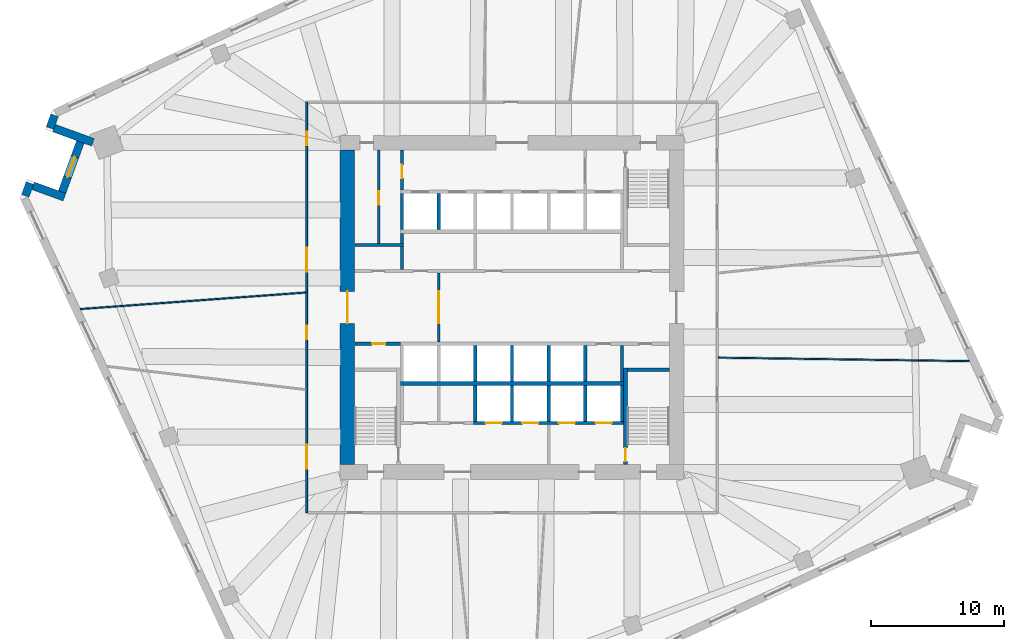
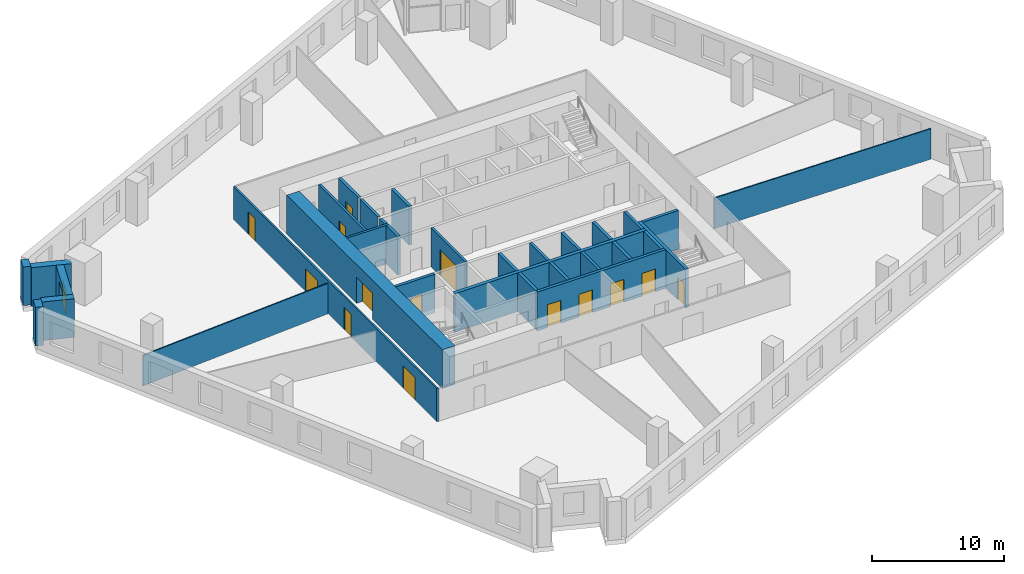
# One storey, part 7 of 12: 32 walls, 14 doors, 1 window, 15 openings.
"""IFC4 building model written with IfcOpenShell, lengths in metres."""

import ifcopenshell
import ifcopenshell.guid

model = None  # the IFC model being written
_history = None  # IfcOwnerHistory: only IFC2X3 demands one
_inside = {}  # id of a spatial element -> (the spatial element, [elements in it])
_under = {}  # id of a project, library or spatial element -> (it, [spatial elements below it])
_declared = {}  # id of a project -> (the project, [libraries it declares])
_typed = {}  # id of a type object -> (the type object, [elements of that type])
_made_of = {}  # id of a material, layer set ... -> (it, [elements and type objects made of it])


def new_model(schema):
    """Start an empty IFC model of exactly this schema.

    Asked for "IFC4X3", IfcOpenShell would pick the latest addendum, in which some entities
    have other attributes; the version numbers below select the first issue.
    IFC2X3 requires an IfcOwnerHistory on every rooted entity: one is made here for all.
    """
    global model, _history
    if schema == "IFC4X3":
        model = ifcopenshell.file(schema_version=(4, 3, 0, 0))
    else:
        model = ifcopenshell.file(schema=schema)
    _inside.clear()
    _under.clear()
    _declared.clear()
    _typed.clear()
    _made_of.clear()
    _history = None
    if model.schema == "IFC2X3":
        org = make("IfcOrganization", Name="unknown")
        user = make(
            "IfcPersonAndOrganization",
            ThePerson=make("IfcPerson", FamilyName="unknown"),
            TheOrganization=org,
        )
        app = make(
            "IfcApplication",
            ApplicationDeveloper=org,
            Version="unknown",
            ApplicationFullName="unknown",
            ApplicationIdentifier="unknown",
        )
        _history = make(
            "IfcOwnerHistory",
            OwningUser=user,
            OwningApplication=app,
            ChangeAction="ADDED",
            CreationDate=0,
        )
    return model


def make(cls, **values):
    """One entity of the class cls with the attributes given. An attribute that is None is left unset."""
    return model.create_entity(
        cls, **{name: value for name, value in values.items() if value is not None}
    )


def rooted(cls, **values):
    """An entity with a GlobalId (a new one), such as an element, a storey or a relation."""
    return make(cls, GlobalId=ifcopenshell.guid.new(), OwnerHistory=_history, **values)


def si_unit(unit_type, name, prefix=None):
    """IfcSIUnit, for example si_unit("LENGTHUNIT", "METRE", prefix="MILLI")."""
    return make("IfcSIUnit", UnitType=unit_type, Prefix=prefix, Name=name)


def assignment(units):
    """IfcUnitAssignment: the units of a project."""
    return None if units is None else make("IfcUnitAssignment", Units=units)


def point(xyz):
    """IfcCartesianPoint."""
    return None if xyz is None else make("IfcCartesianPoint", Coordinates=xyz)


def direction(xyz):
    """IfcDirection."""
    return None if xyz is None else make("IfcDirection", DirectionRatios=xyz)


def frame(location, z_axis=None, x_axis=None):
    """IfcAxis2Placement3D, a coordinate frame: its origin and axes. An axis left out is left unset."""
    return make(
        "IfcAxis2Placement3D",
        Location=point(location),
        Axis=direction(z_axis),
        RefDirection=direction(x_axis),
    )


def frame_2d(location, x_axis=None):
    """IfcAxis2Placement2D, a coordinate frame in the plane: its origin and x axis."""
    return make(
        "IfcAxis2Placement2D", Location=point(location), RefDirection=direction(x_axis)
    )


def origin():
    """The frame at (0, 0, 0) with its axes left unset."""
    return frame((0.0, 0.0, 0.0))


def place(relative_to, where):
    """IfcLocalPlacement: puts the frame where relative to a parent placement (None: the world)."""
    return make(
        "IfcLocalPlacement", PlacementRelTo=relative_to, RelativePlacement=where
    )


def context(
    kind, dimensions, precision=None, world=None, true_north=None, identifier=None
):
    """IfcGeometricRepresentationContext, for example the 3D "Model" context."""
    return make(
        "IfcGeometricRepresentationContext",
        ContextIdentifier=identifier,
        ContextType=kind,
        CoordinateSpaceDimension=dimensions,
        Precision=precision,
        WorldCoordinateSystem=world,
        TrueNorth=true_north,
    )


def subcontext(parent, identifier, kind, view, scale=None):
    """IfcGeometricRepresentationSubContext, for example "Body" below "Model"."""
    return make(
        "IfcGeometricRepresentationSubContext",
        ContextIdentifier=identifier,
        ContextType=kind,
        ParentContext=parent,
        TargetScale=scale,
        TargetView=view,
    )


def project(units=None, contexts=None):
    """IfcProject with its units and contexts."""
    return rooted(
        "IfcProject",
        Name="project",
        RepresentationContexts=contexts,
        UnitsInContext=assignment(units),
    )


def spatial(cls, under=None, at=None, **own):
    """A site, building, storey or space (cls), placed at a placement, below another one or the project."""
    s = rooted(cls, ObjectPlacement=at, **own)
    if under is not None:
        _under.setdefault(under.id(), (under, []))[1].append(s)
    return s


def profile(cls, at=None, kind="AREA", **sizes):
    """A parametric profile (cls). Its sizes go by their IFC names, for example OverallWidth=200.0."""
    return make(cls, ProfileType=kind, Position=at, **sizes)


def rectangle(**sizes):
    """IfcRectangleProfileDef."""
    return profile("IfcRectangleProfileDef", **sizes)


def extrude(swept, where, along, depth):
    """IfcExtrudedAreaSolid: the profile swept, set in the frame where, extruded along a direction by depth."""
    return make(
        "IfcExtrudedAreaSolid",
        SweptArea=swept,
        Position=where,
        ExtrudedDirection=direction(along),
        Depth=depth,
    )


def shape(context_of_items, identifier, shape_type, items):
    """IfcShapeRepresentation: the items that make up one representation, for example the "Body"."""
    return make(
        "IfcShapeRepresentation",
        ContextOfItems=context_of_items,
        RepresentationIdentifier=identifier,
        RepresentationType=shape_type,
        Items=items,
    )


def material(Name=None, Category=None):
    """IfcMaterial."""
    return make("IfcMaterial", Name=Name, Category=Category)


def layer(
    of_material, thickness, ventilated=None, Name=None, Category=None, Priority=None
):
    """IfcMaterialLayer: one layer of a wall or slab, of a material (None: an air gap)."""
    return make(
        "IfcMaterialLayer",
        Material=of_material,
        LayerThickness=thickness,
        IsVentilated=ventilated,
        Name=Name,
        Category=Category,
        Priority=Priority,
    )


def layer_set(layers, Name=None):
    """IfcMaterialLayerSet."""
    return make("IfcMaterialLayerSet", MaterialLayers=layers, LayerSetName=Name)


def made_of(thing, what):
    """Note that an element or type object is made of a material, layer set ...; save() writes the relation."""
    if what is not None:
        _made_of.setdefault(what.id(), (what, []))[1].append(thing)
    return thing


def type_object(cls, material=None, **own):
    """A type object (cls), such as IfcWallType, which elements share."""
    return made_of(rooted(cls, **own), material)


def element(
    cls,
    number,
    at=None,
    inside=None,
    cuts=None,
    type_object=None,
    material=None,
    context=None,
    identifier="Body",
    shape_type=None,
    held_by="IfcProductDefinitionShape",
    body=None,
    shapes=None,
    **own,
):
    """One element of the class cls, such as IfcWall. Its Tag is "e" and its number.

    at: its placement. inside: the storey or other place that contains it. cuts: it is an
    opening in that element (IfcRelVoidsElement). A single representation is given by context,
    identifier, shape_type and body (its items); several are given by shapes. held_by: the class
    of the entity that holds the representations. save() writes the other relations.
    """
    e = rooted(cls, Tag="e%d" % number, ObjectPlacement=at, **own)
    if body is not None:
        shapes = [shape(context, identifier, shape_type, body)]
    if shapes is not None:
        e.Representation = make(held_by, Representations=shapes)
    if inside is not None:
        _inside.setdefault(inside.id(), (inside, []))[1].append(e)
    if cuts is not None:
        rooted(
            "IfcRelVoidsElement", RelatingBuildingElement=cuts, RelatedOpeningElement=e
        )
    if type_object is not None:
        _typed.setdefault(type_object.id(), (type_object, []))[1].append(e)
    return made_of(e, material)


def fill(opening, filler):
    """IfcRelFillsElement: the door or window that sits in an opening."""
    return rooted(
        "IfcRelFillsElement",
        RelatingOpeningElement=opening,
        RelatedBuildingElement=filler,
    )


def aggregate(whole, parts):
    """IfcRelAggregates: a whole, such as a stair, and the parts it consists of."""
    return rooted("IfcRelAggregates", RelatingObject=whole, RelatedObjects=parts)


def save(model, path):
    """Write the relations noted so far, then the file.

    IfcRelAggregates (storeys below a building ...), IfcRelContainedInSpatialStructure (elements
    in a storey), IfcRelDefinesByType, IfcRelAssociatesMaterial and IfcRelDeclares: one each for
    every whole, place, type object, material and project.
    """
    for whole, parts in _under.values():
        aggregate(whole, parts)
    for where, things in _inside.values():
        rooted(
            "IfcRelContainedInSpatialStructure",
            RelatedElements=things,
            RelatingStructure=where,
        )
    for kind, things in _typed.values():
        rooted("IfcRelDefinesByType", RelatedObjects=things, RelatingType=kind)
    for what, things in _made_of.values():
        rooted("IfcRelAssociatesMaterial", RelatedObjects=things, RelatingMaterial=what)
    for by, libraries in _declared.values():
        rooted("IfcRelDeclares", RelatingContext=by, RelatedDefinitions=libraries)
    model.write(path)


model = new_model("IFC4")

# Units and contexts
model_context = context("Model", 3, precision=1e-05, world=origin(), true_north=direction((0.0, 1.0)))
body_context = subcontext(model_context, "Body", "Model", "MODEL_VIEW")
ifc_project = project(units=[si_unit("LENGTHUNIT", "METRE"), si_unit("AREAUNIT", "SQUARE_METRE"), si_unit("VOLUMEUNIT", "CUBIC_METRE"), si_unit("PLANEANGLEUNIT", "RADIAN"), si_unit("MASSUNIT", "GRAM", prefix="KILO")], contexts=[model_context])

# Site, building, storey
site_placement = place(None, origin())
site = spatial("IfcSite", under=ifc_project, at=site_placement, CompositionType="ELEMENT")
building_placement = place(site_placement, origin())
building = spatial("IfcBuilding", under=site, at=building_placement, Name="Dilmun Exchange Tower", CompositionType="ELEMENT")
storey_placement = place(building_placement, frame((0.0, 0.0, 126.10009765625)))
storey = spatial("IfcBuildingStorey", under=building, at=storey_placement, Name="L29", CompositionType="ELEMENT", Elevation=126.10009765625)

# Wall, opening, door
ifc_material_1 = material(Name="Concrete C40/50", Category="concrete")
ifc_layer_1 = layer(ifc_material_1, 0.199951171875)
ifc_layer_set_1 = layer_set([ifc_layer_1], Name="Concrete C40/50")
wall_type_1 = type_object("IfcWallType", Name="Core partition wall 200", PredefinedType="PARTITIONING", material=ifc_layer_set_1)
wall_1_placement = place(storey_placement, frame((-5.5, -2.594970703125, 0.0), z_axis=(0.0, 0.0, 1.0), x_axis=(0.0, 1.0, 0.0)))
wall_1 = element("IfcWall", 1, at=wall_1_placement, inside=storey, type_object=wall_type_1, Name="L29 core partition wall 08", PredefinedType="PARTITIONING", context=body_context, shape_type="SweptSolid", body=[
    extrude(rectangle(XDim=5.18994140625, YDim=0.199951171875, at=frame_2d((2.594970703125, 0.0))), origin(), (0.0, 0.0, 1.0), 3.579833984375),
])
opening_1_placement = place(wall_1_placement, frame((1.39501953125, 0.0, 0.0)))
opening_1 = element("IfcOpeningElement", 2, at=opening_1_placement, cuts=wall_1, Name="Opening CD1", PredefinedType="OPENING", context=body_context, shape_type="SweptSolid", body=[
    extrude(rectangle(XDim=2.39990234375, YDim=2.39990234375, at=frame_2d((1.199951171875, 1.199951171875))), frame((0.0, 0.10986328125, 0.0), z_axis=(0.0, -1.0, 0.0), x_axis=(1.0, 0.0, 0.0)), (0.0, 0.0, 1.0), 0.219970703125),
])
ifc_material_2 = material(Name="Fire-rated steel door set", Category="steel")
door_type_1 = type_object("IfcDoorType", Name="Core lobby door 2400x2400", OperationType="DOUBLE_DOOR_DOUBLE_SWING", PredefinedType="DOOR", material=ifc_material_2)
door_1_placement = place(opening_1_placement, origin())
door_1 = element("IfcDoor", 3, at=door_1_placement, inside=storey, type_object=door_type_1, Name="L29 door Lift lobby east", OperationType="DOUBLE_DOOR_DOUBLE_SWING", OverallHeight=2.39990234375, OverallWidth=2.39990234375, PredefinedType="DOOR", context=body_context, shape_type="SweptSolid", body=[
    extrude(rectangle(XDim=2.39990234375, YDim=2.39990234375, at=frame_2d((1.199951171875, 1.199951171875))), frame((0.0, 0.02490234375, 0.0), z_axis=(0.0, -1.0, 0.0), x_axis=(1.0, 0.0, 0.0)), (0.0, 0.0, 1.0), 0.050048828125),
])
fill(opening_1, door_1)

# Wall
wall_2_placement = place(storey_placement, frame((-11.794921875, 4.675048828125, 0.0), z_axis=(0.0, 0.0, 1.0), x_axis=(1.0, 0.0, 0.0)))
element("IfcWall", 4, at=wall_2_placement, inside=storey, type_object=wall_type_1, Name="L29 core partition wall 13", PredefinedType="PARTITIONING", context=body_context, shape_type="SweptSolid", body=[
    extrude(rectangle(XDim=3.64501953125, YDim=0.199951171875, at=frame_2d((1.822509765625, 0.0))), origin(), (0.0, 0.0, 1.0), 3.579833984375),
])

# Wall, opening, door
wall_3_placement = place(storey_placement, frame((-10.0, 4.780029296875, 0.0), z_axis=(0.0, 0.0, 1.0), x_axis=(0.0, 1.0, 0.0)))
wall_3 = element("IfcWall", 5, at=wall_3_placement, inside=storey, type_object=wall_type_1, Name="L29 core partition wall 14", PredefinedType="PARTITIONING", context=body_context, shape_type="SweptSolid", body=[
    extrude(rectangle(XDim=7.014892578125, YDim=0.199951171875, at=frame_2d((3.50732421875, 0.0))), origin(), (0.0, 0.0, 1.0), 3.579833984375),
])
opening_2_placement = place(wall_3_placement, frame((2.919921875, 0.0, 0.0)))
opening_2 = element("IfcOpeningElement", 6, at=opening_2_placement, cuts=wall_3, Name="Opening CD4", PredefinedType="OPENING", context=body_context, shape_type="SweptSolid", body=[
    extrude(rectangle(XDim=1.0, YDim=2.10009765625, at=frame_2d((0.5, 1.050048828125))), frame((0.0, 0.10986328125, 0.0), z_axis=(0.0, -1.0, 0.0), x_axis=(1.0, 0.0, 0.0)), (0.0, 0.0, 1.0), 0.219970703125),
])
door_type_2 = type_object("IfcDoorType", Name="Core room door 1000x2100", OperationType="SINGLE_SWING_LEFT", PredefinedType="DOOR", material=ifc_material_2)
door_2_placement = place(opening_2_placement, origin())
door_2 = element("IfcDoor", 7, at=door_2_placement, inside=storey, type_object=door_type_2, Name="L29 door Comms room", OperationType="SINGLE_SWING_RIGHT", OverallHeight=2.10009765625, OverallWidth=1.0, PredefinedType="DOOR", context=body_context, shape_type="SweptSolid", body=[
    extrude(rectangle(XDim=1.0, YDim=2.10009765625, at=frame_2d((0.5, 1.050048828125))), frame((0.0, 0.02490234375, 0.0), z_axis=(0.0, -1.0, 0.0), x_axis=(1.0, 0.0, 0.0)), (0.0, 0.0, 1.0), 0.050048828125),
])
fill(opening_2, door_2)

# Wall
ifc_layer_2 = layer(ifc_material_1, 0.25)
ifc_layer_set_2 = layer_set([ifc_layer_2], Name="Concrete C40/50")
wall_type_2 = type_object("IfcWallType", Name="Core partition wall 250", PredefinedType="PARTITIONING", material=ifc_layer_set_2)
wall_4_placement = place(storey_placement, frame((8.25, -5.544921875, 0.0), z_axis=(0.0, 0.0, 1.0), x_axis=(0.0, 1.0, 0.0)))
element("IfcWall", 8, at=wall_4_placement, inside=storey, type_object=wall_type_2, Name="L29 core partition wall 05", PredefinedType="PARTITIONING", context=body_context, shape_type="SweptSolid", body=[
    extrude(rectangle(XDim=2.68994140625, YDim=0.25, at=frame_2d((1.344970703125, 0.0))), origin(), (0.0, 0.0, 1.0), 3.579833984375),
])

# Wall, opening, door
wall_5_placement = place(storey_placement, frame((-11.794921875, -2.72509765625, 0.0), z_axis=(0.0, 0.0, 1.0), x_axis=(1.0, 0.0, 0.0)))
wall_5 = element("IfcWall", 9, at=wall_5_placement, inside=storey, type_object=wall_type_2, Name="L29 core partition wall 06", PredefinedType="PARTITIONING", context=body_context, shape_type="SweptSolid", body=[
    extrude(rectangle(XDim=3.4150390625, YDim=0.25, at=frame_2d((1.70751953125, 0.0))), origin(), (0.0, 0.0, 1.0), 3.579833984375),
])
opening_3_placement = place(wall_5_placement, frame((1.294921875, 0.0, 0.0)))
opening_3 = element("IfcOpeningElement", 10, at=opening_3_placement, cuts=wall_5, Name="Opening CD4", PredefinedType="OPENING", context=body_context, shape_type="SweptSolid", body=[
    extrude(rectangle(XDim=1.0, YDim=2.10009765625, at=frame_2d((0.5, 1.050048828125))), frame((0.0, 0.135009765625, 0.0), z_axis=(0.0, -1.0, 0.0), x_axis=(1.0, 0.0, 0.0)), (0.0, 0.0, 1.0), 0.27001953125),
])
door_3_placement = place(opening_3_placement, origin())
door_3 = element("IfcDoor", 11, at=door_3_placement, inside=storey, type_object=door_type_2, Name="L29 door Accessible WC", OperationType="SINGLE_SWING_RIGHT", OverallHeight=2.10009765625, OverallWidth=1.0, PredefinedType="DOOR", context=body_context, shape_type="SweptSolid", body=[
    extrude(rectangle(XDim=1.0, YDim=2.10009765625, at=frame_2d((0.5, 1.050048828125))), frame((0.0, 0.02490234375, 0.0), z_axis=(0.0, -1.0, 0.0), x_axis=(1.0, 0.0, 0.0)), (0.0, 0.0, 1.0), 0.050048828125),
])
fill(opening_3, door_3)

# Walls
wall_6_placement = place(storey_placement, frame((-8.25, 2.85498046875, 0.0), z_axis=(0.0, 0.0, 1.0), x_axis=(0.0, 1.0, 0.0)))
element("IfcWall", 12, at=wall_6_placement, inside=storey, type_object=wall_type_2, Name="L29 core partition wall 10", PredefinedType="PARTITIONING", context=body_context, shape_type="SweptSolid", body=[
    extrude(rectangle(XDim=1.715087890625, YDim=0.25, at=frame_2d((0.857421875, 0.0))), origin(), (0.0, 0.0, 1.0), 3.579833984375),
])
wall_7_placement = place(storey_placement, frame((-8.25, 4.780029296875, 0.0), z_axis=(0.0, 0.0, 1.0), x_axis=(0.0, 1.0, 0.0)))
element("IfcWall", 13, at=wall_7_placement, inside=storey, type_object=wall_type_2, Name="L29 core partition wall 15", PredefinedType="PARTITIONING", context=body_context, shape_type="SweptSolid", body=[
    extrude(rectangle(XDim=0.764892578125, YDim=0.25, at=frame_2d((0.38232421875, 0.0))), origin(), (0.0, 0.0, 1.0), 3.579833984375),
])

# Wall, opening, door
wall_8_placement = place(storey_placement, frame((-8.25, 8.804931640625, 0.0), z_axis=(0.0, 0.0, 1.0), x_axis=(0.0, 1.0, 0.0)))
wall_8 = element("IfcWall", 14, at=wall_8_placement, inside=storey, type_object=wall_type_2, Name="L29 core partition wall 16", PredefinedType="PARTITIONING", context=body_context, shape_type="SweptSolid", body=[
    extrude(rectangle(XDim=2.989990234375, YDim=0.25, at=frame_2d((1.4951171875, 0.0))), origin(), (0.0, 0.0, 1.0), 3.579833984375),
])
opening_4_placement = place(wall_8_placement, frame((0.89501953125, 0.0, 0.0)))
opening_4 = element("IfcOpeningElement", 15, at=opening_4_placement, cuts=wall_8, Name="Opening CD4", PredefinedType="OPENING", context=body_context, shape_type="SweptSolid", body=[
    extrude(rectangle(XDim=1.0, YDim=2.10009765625, at=frame_2d((0.5, 1.050048828125))), frame((0.0, 0.135009765625, 0.0), z_axis=(0.0, -1.0, 0.0), x_axis=(1.0, 0.0, 0.0)), (0.0, 0.0, 1.0), 0.27001953125),
])
door_4_placement = place(opening_4_placement, origin())
door_4 = element("IfcDoor", 16, at=door_4_placement, inside=storey, type_object=door_type_2, Name="L29 door Security room", OperationType="SINGLE_SWING_RIGHT", OverallHeight=2.10009765625, OverallWidth=1.0, PredefinedType="DOOR", context=body_context, shape_type="SweptSolid", body=[
    extrude(rectangle(XDim=1.0, YDim=2.10009765625, at=frame_2d((0.5, 1.050048828125))), frame((0.0, 0.02490234375, 0.0), z_axis=(0.0, -1.0, 0.0), x_axis=(1.0, 0.0, 0.0)), (0.0, 0.0, 1.0), 0.050048828125),
])
fill(opening_4, door_4)

ifc_material_3 = material(Name="Concrete C80/95", Category="concrete")
ifc_layer_3 = layer(ifc_material_3, 1.10009765625)
ifc_layer_set_3 = layer_set([ifc_layer_3], Name="Concrete C80/95")
wall_type_3 = type_object("IfcWallType", Name="Core shear wall 1100 Concrete C80/95", PredefinedType="SHEAR", material=ifc_layer_set_3)
wall_9_placement = place(storey_placement, frame((-12.35009765625, -11.800048828125, 0.0), z_axis=(0.0, 0.0, 1.0), x_axis=(0.0, 1.0, 0.0)))
wall_9 = element("IfcWall", 17, at=wall_9_placement, inside=storey, type_object=wall_type_3, Name="L29 core shear wall W", PredefinedType="SHEAR", context=body_context, shape_type="SweptSolid", body=[
    extrude(rectangle(XDim=23.60009765625, YDim=1.10009765625, at=frame_2d((11.800048828125, 0.0))), origin(), (0.0, 0.0, 1.0), 3.579833984375),
])
opening_5_placement = place(wall_9_placement, frame((10.60009765625, 0.0, 0.0)))
opening_5 = element("IfcOpeningElement", 18, at=opening_5_placement, cuts=wall_9, Name="Opening CD1", PredefinedType="OPENING", context=body_context, shape_type="SweptSolid", body=[
    extrude(rectangle(XDim=2.39990234375, YDim=2.39990234375, at=frame_2d((1.199951171875, 1.199951171875))), frame((0.0, 0.56005859375, 0.0), z_axis=(0.0, -1.0, 0.0), x_axis=(1.0, 0.0, 0.0)), (0.0, 0.0, 1.0), 1.1201171875),
])
door_5_placement = place(opening_5_placement, origin())
door_5 = element("IfcDoor", 19, at=door_5_placement, inside=storey, type_object=door_type_1, Name="L29 door Central lift lobby", OperationType="SINGLE_SWING_LEFT", OverallHeight=2.39990234375, OverallWidth=2.39990234375, PredefinedType="DOOR", context=body_context, shape_type="SweptSolid", body=[
    extrude(rectangle(XDim=2.39990234375, YDim=2.39990234375, at=frame_2d((1.199951171875, 1.199951171875))), frame((0.0, 0.02490234375, 0.0), z_axis=(0.0, -1.0, 0.0), x_axis=(1.0, 0.0, 0.0)), (0.0, 0.0, 1.0), 0.050048828125),
])
fill(opening_5, door_5)

# Wall, openings, doors
ifc_material_4 = material(Name="Corridor wall 150")
ifc_layer_4 = layer(ifc_material_4, 0.14990234375)
ifc_layer_set_4 = layer_set([ifc_layer_4], Name="Corridor wall 150")
wall_type_4 = type_object("IfcWallType", Name="Corridor wall 150", PredefinedType="PARTITIONING", material=ifc_layer_set_4)
wall_10_placement = place(storey_placement, frame((-15.39990234375, -15.39990234375, 0.0), z_axis=(0.0, 0.0, 1.0), x_axis=(0.0, 1.0, 0.0)))
wall_10 = element("IfcWall", 20, at=wall_10_placement, inside=storey, type_object=wall_type_4, Name="Corridor wall", PredefinedType="PARTITIONING", context=body_context, shape_type="SweptSolid", body=[
    extrude(rectangle(XDim=30.7998046875, YDim=0.14990234375, at=frame_2d((15.39990234375, 0.0))), origin(), (0.0, 0.0, 1.0), 3.079833984375),
])
opening_6_placement = place(wall_10_placement, frame((13.023681640625, 0.0, 0.0)))
opening_6 = element("IfcOpeningElement", 21, at=opening_6_placement, cuts=wall_10, Name="Opening TF28-D01", PredefinedType="OPENING", context=body_context, shape_type="SweptSolid", body=[
    extrude(rectangle(XDim=1.0, YDim=2.10009765625, at=frame_2d((0.5, 1.050048828125))), frame((0.0, 0.0849609375, 0.0), z_axis=(0.0, -1.0, 0.0), x_axis=(1.0, 0.0, 0.0)), (0.0, 0.0, 1.0), 0.169921875),
])
opening_7_placement = place(wall_10_placement, frame((18.06884765625, 0.0, 0.0)))
opening_7 = element("IfcOpeningElement", 22, at=opening_7_placement, cuts=wall_10, Name="Opening TF28-D02", PredefinedType="OPENING", context=body_context, shape_type="SweptSolid", body=[
    extrude(rectangle(XDim=1.800048828125, YDim=2.10009765625, at=frame_2d((0.89990234375, 1.050048828125))), frame((0.0, 0.0849609375, 0.0), z_axis=(0.0, -1.0, 0.0), x_axis=(1.0, 0.0, 0.0)), (0.0, 0.0, 1.0), 0.169921875),
])
opening_8_placement = place(wall_10_placement, frame((27.56884765625, 0.0, 0.0)))
opening_8 = element("IfcOpeningElement", 23, at=opening_8_placement, cuts=wall_10, Name="Opening TF28-D03", PredefinedType="OPENING", context=body_context, shape_type="SweptSolid", body=[
    extrude(rectangle(XDim=1.0, YDim=2.10009765625, at=frame_2d((0.5, 1.050048828125))), frame((0.0, 0.0849609375, 0.0), z_axis=(0.0, -1.0, 0.0), x_axis=(1.0, 0.0, 0.0)), (0.0, 0.0, 1.0), 0.169921875),
])
opening_9_placement = place(wall_10_placement, frame((3.300048828125, 0.0, 0.0)))
opening_9 = element("IfcOpeningElement", 24, at=opening_9_placement, cuts=wall_10, Name="Opening TF28-D04", PredefinedType="OPENING", context=body_context, shape_type="SweptSolid", body=[
    extrude(rectangle(XDim=1.800048828125, YDim=2.10009765625, at=frame_2d((0.89990234375, 1.050048828125))), frame((0.0, 0.0849609375, 0.0), z_axis=(0.0, -1.0, 0.0), x_axis=(1.0, 0.0, 0.0)), (0.0, 0.0, 1.0), 0.169921875),
])
ifc_material_5 = material(Name="Fire door 1000 x 2100")
door_type_3 = type_object("IfcDoorType", Name="Fire door 1000 x 2100", OperationType="NOTDEFINED", PredefinedType="DOOR", material=ifc_material_5)
door_6_placement = place(opening_6_placement, origin())
door_6 = element("IfcDoor", 25, at=door_6_placement, inside=storey, type_object=door_type_3, Name="Door TF28-D01", OperationType="SINGLE_SWING_RIGHT", OverallHeight=2.10009765625, OverallWidth=1.0, PredefinedType="DOOR", context=body_context, shape_type="SweptSolid", body=[
    extrude(rectangle(XDim=1.0, YDim=2.10009765625, at=frame_2d((0.5, 1.050048828125))), frame((0.0, 0.02490234375, 0.0), z_axis=(0.0, -1.0, 0.0), x_axis=(1.0, 0.0, 0.0)), (0.0, 0.0, 1.0), 0.050048828125),
])
fill(opening_6, door_6)
door_7_placement = place(opening_8_placement, origin())
door_7 = element("IfcDoor", 26, at=door_7_placement, inside=storey, type_object=door_type_3, Name="Door TF28-D03", OperationType="SINGLE_SWING_LEFT", OverallHeight=2.10009765625, OverallWidth=1.0, PredefinedType="DOOR", context=body_context, shape_type="SweptSolid", body=[
    extrude(rectangle(XDim=1.0, YDim=2.10009765625, at=frame_2d((0.5, 1.050048828125))), frame((0.0, 0.02490234375, 0.0), z_axis=(0.0, -1.0, 0.0), x_axis=(1.0, 0.0, 0.0)), (0.0, 0.0, 1.0), 0.050048828125),
])
fill(opening_8, door_7)
ifc_material_6 = material(Name="Fire door pair 1800 x 2100")
door_type_4 = type_object("IfcDoorType", Name="Fire door pair 1800 x 2100", OperationType="NOTDEFINED", PredefinedType="DOOR", material=ifc_material_6)
door_8_placement = place(opening_7_placement, origin())
door_8 = element("IfcDoor", 27, at=door_8_placement, inside=storey, type_object=door_type_4, Name="Door TF28-D02", OperationType="DOUBLE_DOOR_SINGLE_SWING", OverallHeight=2.10009765625, OverallWidth=1.800048828125, PredefinedType="DOOR", context=body_context, shape_type="SweptSolid", body=[
    extrude(rectangle(XDim=1.800048828125, YDim=2.10009765625, at=frame_2d((0.89990234375, 1.050048828125))), frame((0.0, 0.02490234375, 0.0), z_axis=(0.0, -1.0, 0.0), x_axis=(1.0, 0.0, 0.0)), (0.0, 0.0, 1.0), 0.050048828125),
])
fill(opening_7, door_8)
door_9_placement = place(opening_9_placement, origin())
door_9 = element("IfcDoor", 28, at=door_9_placement, inside=storey, type_object=door_type_4, Name="Door TF28-D04", OperationType="DOUBLE_DOOR_SINGLE_SWING", OverallHeight=2.10009765625, OverallWidth=1.800048828125, PredefinedType="DOOR", context=body_context, shape_type="SweptSolid", body=[
    extrude(rectangle(XDim=1.800048828125, YDim=2.10009765625, at=frame_2d((0.89990234375, 1.050048828125))), frame((0.0, 0.02490234375, 0.0), z_axis=(0.0, -1.0, 0.0), x_axis=(1.0, 0.0, 0.0)), (0.0, 0.0, 1.0), 0.050048828125),
])
fill(opening_9, door_9)

# Walls
ifc_layer_5 = layer(ifc_material_1, 0.300048828125)
ifc_layer_set_5 = layer_set([ifc_layer_5], Name="Concrete C40/50")
wall_type_5 = type_object("IfcWallType", Name="Lift shaft shared wall 300", PredefinedType="SOLIDWALL", material=ifc_layer_set_5)
wall_11_placement = place(storey_placement, frame((-8.375, -5.699951171875, 0.0), z_axis=(0.0, 0.0, 1.0), x_axis=(1.0, 0.0, 0.0)))
element("IfcWall", 29, at=wall_11_placement, inside=storey, type_object=wall_type_5, Name="L29 lift shaft rear wall S", PredefinedType="SOLIDWALL", context=body_context, shape_type="SweptSolid", body=[
    extrude(rectangle(XDim=16.75, YDim=0.300048828125, at=frame_2d((8.375, 0.0))), origin(), (0.0, 0.0, 1.0), 3.579833984375),
])
ifc_layer_6 = layer(ifc_material_1, 0.25)
ifc_layer_set_6 = layer_set([ifc_layer_6], Name="Concrete C40/50")
wall_type_6 = type_object("IfcWallType", Name="Lift shaft wall 250", PredefinedType="SOLIDWALL", material=ifc_layer_set_6)
for number, where, z_axis, x_axis, name in (
    (30, (-8.25, 5.85009765625, 0.0), (0.0, 0.0, 1.0), (0.0, 1.0, 0.0), "L29 lift shaft divider N20"),
    (31, (-5.5, 5.85009765625, 0.0), (0.0, 0.0, 1.0), (0.0, 1.0, 0.0), "L29 lift shaft divider N21"),
    (32, (-2.75, -5.550048828125, 0.0), (0.0, 0.0, 1.0), (0.0, 1.0, 0.0), "L29 lift shaft divider S12"),
    (33, (0.0, -5.550048828125, 0.0), (0.0, 0.0, 1.0), (0.0, 1.0, 0.0), "L29 lift shaft divider S13"),
    (34, (2.75, -5.550048828125, 0.0), (0.0, 0.0, 1.0), (0.0, 1.0, 0.0), "L29 lift shaft divider S14"),
    (35, (5.5, -5.550048828125, 0.0), (0.0, 0.0, 1.0), (0.0, 1.0, 0.0), "L29 lift shaft divider S15"),
):
    element("IfcWall", number, at=place(storey_placement, frame(where, z_axis=z_axis, x_axis=x_axis)), inside=storey, type_object=wall_type_6, Name=name, PredefinedType="SOLIDWALL", context=body_context, shape_type="SweptSolid", body=[
        extrude(rectangle(XDim=2.699951171875, YDim=0.25, at=frame_2d((1.35009765625, 0.0))), origin(), (0.0, 0.0, 1.0), 3.579833984375),
    ])

# Wall, openings, doors
wall_12_placement = place(storey_placement, frame((-2.875, -8.675048828125, 0.0), z_axis=(0.0, 0.0, 1.0), x_axis=(1.0, 0.0, 0.0)))
wall_12 = element("IfcWall", 36, at=wall_12_placement, inside=storey, type_object=wall_type_6, Name="L29 lift shaft front wall S2", PredefinedType="SOLIDWALL", context=body_context, shape_type="SweptSolid", body=[
    extrude(rectangle(XDim=11.25, YDim=0.25, at=frame_2d((5.625, 0.0))), origin(), (0.0, 0.0, 1.0), 3.579833984375),
])
opening_10_placement = place(wall_12_placement, frame((0.89990234375, 0.0, 0.0)))
opening_10 = element("IfcOpeningElement", 37, at=opening_10_placement, cuts=wall_12, Name="Opening LD", PredefinedType="OPENING", context=body_context, shape_type="SweptSolid", body=[
    extrude(rectangle(XDim=1.199951171875, YDim=2.10009765625, at=frame_2d((0.60009765625, 1.050048828125))), frame((0.0, 0.135009765625, 0.0), z_axis=(0.0, -1.0, 0.0), x_axis=(1.0, 0.0, 0.0)), (0.0, 0.0, 1.0), 0.27001953125),
])
opening_11_placement = place(wall_12_placement, frame((3.64990234375, 0.0, 0.0)))
opening_11 = element("IfcOpeningElement", 38, at=opening_11_placement, cuts=wall_12, Name="Opening LD", PredefinedType="OPENING", context=body_context, shape_type="SweptSolid", body=[
    extrude(rectangle(XDim=1.199951171875, YDim=2.10009765625, at=frame_2d((0.60009765625, 1.050048828125))), frame((0.0, 0.135009765625, 0.0), z_axis=(0.0, -1.0, 0.0), x_axis=(1.0, 0.0, 0.0)), (0.0, 0.0, 1.0), 0.27001953125),
])
opening_12_placement = place(wall_12_placement, frame((6.39990234375, 0.0, 0.0)))
opening_12 = element("IfcOpeningElement", 39, at=opening_12_placement, cuts=wall_12, Name="Opening LD", PredefinedType="OPENING", context=body_context, shape_type="SweptSolid", body=[
    extrude(rectangle(XDim=1.199951171875, YDim=2.10009765625, at=frame_2d((0.60009765625, 1.050048828125))), frame((0.0, 0.135009765625, 0.0), z_axis=(0.0, -1.0, 0.0), x_axis=(1.0, 0.0, 0.0)), (0.0, 0.0, 1.0), 0.27001953125),
])
opening_13_placement = place(wall_12_placement, frame((9.14990234375, 0.0, 0.0)))
opening_13 = element("IfcOpeningElement", 40, at=opening_13_placement, cuts=wall_12, Name="Opening LD", PredefinedType="OPENING", context=body_context, shape_type="SweptSolid", body=[
    extrude(rectangle(XDim=1.199951171875, YDim=2.10009765625, at=frame_2d((0.60009765625, 1.050048828125))), frame((0.0, 0.135009765625, 0.0), z_axis=(0.0, -1.0, 0.0), x_axis=(1.0, 0.0, 0.0)), (0.0, 0.0, 1.0), 0.27001953125),
])
door_type_5 = type_object("IfcDoorType", Name="Lift landing door 1200x2100", OperationType="DOUBLE_DOOR_SLIDING", PredefinedType="DOOR", material=ifc_material_2)
door_10_placement = place(opening_10_placement, origin())
door_10 = element("IfcDoor", 41, at=door_10_placement, inside=storey, type_object=door_type_5, Name="L29 landing door SV1", OperationType="DOUBLE_DOOR_SLIDING", OverallHeight=2.10009765625, OverallWidth=1.199951171875, PredefinedType="DOOR", context=body_context, shape_type="SweptSolid", body=[
    extrude(rectangle(XDim=1.199951171875, YDim=2.10009765625, at=frame_2d((0.60009765625, 1.050048828125))), frame((0.0, 0.02490234375, 0.0), z_axis=(0.0, -1.0, 0.0), x_axis=(1.0, 0.0, 0.0)), (0.0, 0.0, 1.0), 0.050048828125),
])
fill(opening_10, door_10)
door_11_placement = place(opening_11_placement, origin())
door_11 = element("IfcDoor", 42, at=door_11_placement, inside=storey, type_object=door_type_5, Name="L29 landing door SV2", OperationType="DOUBLE_DOOR_SLIDING", OverallHeight=2.10009765625, OverallWidth=1.199951171875, PredefinedType="DOOR", context=body_context, shape_type="SweptSolid", body=[
    extrude(rectangle(XDim=1.199951171875, YDim=2.10009765625, at=frame_2d((0.60009765625, 1.050048828125))), frame((0.0, 0.02490234375, 0.0), z_axis=(0.0, -1.0, 0.0), x_axis=(1.0, 0.0, 0.0)), (0.0, 0.0, 1.0), 0.050048828125),
])
fill(opening_11, door_11)
door_12_placement = place(opening_12_placement, origin())
door_12 = element("IfcDoor", 43, at=door_12_placement, inside=storey, type_object=door_type_5, Name="L29 landing door FF1", OperationType="DOUBLE_DOOR_SLIDING", OverallHeight=2.10009765625, OverallWidth=1.199951171875, PredefinedType="DOOR", context=body_context, shape_type="SweptSolid", body=[
    extrude(rectangle(XDim=1.199951171875, YDim=2.10009765625, at=frame_2d((0.60009765625, 1.050048828125))), frame((0.0, 0.02490234375, 0.0), z_axis=(0.0, -1.0, 0.0), x_axis=(1.0, 0.0, 0.0)), (0.0, 0.0, 1.0), 0.050048828125),
])
fill(opening_12, door_12)
door_13_placement = place(opening_13_placement, origin())
door_13 = element("IfcDoor", 44, at=door_13_placement, inside=storey, type_object=door_type_5, Name="L29 landing door FF2", OperationType="DOUBLE_DOOR_SLIDING", OverallHeight=2.10009765625, OverallWidth=1.199951171875, PredefinedType="DOOR", context=body_context, shape_type="SweptSolid", body=[
    extrude(rectangle(XDim=1.199951171875, YDim=2.10009765625, at=frame_2d((0.60009765625, 1.050048828125))), frame((0.0, 0.02490234375, 0.0), z_axis=(0.0, -1.0, 0.0), x_axis=(1.0, 0.0, 0.0)), (0.0, 0.0, 1.0), 0.050048828125),
])
fill(opening_13, door_13)

# Walls
for number, where, z_axis, x_axis, name in (
    (45, (-2.75, -8.550048828125, 0.0), (0.0, 0.0, 1.0), (0.0, 1.0, 0.0), "L29 lift shaft divider S22"),
    (46, (0.0, -8.550048828125, 0.0), (0.0, 0.0, 1.0), (0.0, 1.0, 0.0), "L29 lift shaft divider S23"),
    (47, (2.75, -8.550048828125, 0.0), (0.0, 0.0, 1.0), (0.0, 1.0, 0.0), "L29 lift shaft divider S24"),
    (48, (5.5, -8.550048828125, 0.0), (0.0, 0.0, 1.0), (0.0, 1.0, 0.0), "L29 lift shaft divider S25"),
    (49, (8.25, -8.550048828125, 0.0), (0.0, 0.0, 1.0), (0.0, 1.0, 0.0), "L29 lift shaft divider S26"),
):
    element("IfcWall", number, at=place(storey_placement, frame(where, z_axis=z_axis, x_axis=x_axis)), inside=storey, type_object=wall_type_6, Name=name, PredefinedType="SOLIDWALL", context=body_context, shape_type="SweptSolid", body=[
        extrude(rectangle(XDim=2.699951171875, YDim=0.25, at=frame_2d((1.35009765625, 0.0))), origin(), (0.0, 0.0, 1.0), 3.579833984375),
    ])
ifc_material_7 = material(Name="Partition 100")
ifc_layer_7 = layer(ifc_material_7, 0.10009765625)
ifc_layer_set_7 = layer_set([ifc_layer_7], Name="Partition 100")
wall_type_7 = type_object("IfcWallType", Name="Partition 100", PredefinedType="PARTITIONING", material=ifc_layer_set_7)
wall_13_placement = place(storey_placement, frame((-32.37890625, -0.124755859375, 0.0), z_axis=(0.0, 0.0, 1.0), x_axis=(0.997314918509, 0.073232187723, 0.0)))
element("IfcWall", 50, at=wall_13_placement, inside=storey, type_object=wall_type_7, Name="Partition", PredefinedType="PARTITIONING", context=body_context, shape_type="SweptSolid", body=[
    extrude(rectangle(XDim=16.945556640625, YDim=0.10009765625, at=frame_2d((8.47265625, 0.0))), origin(), (0.0, 0.0, 1.0), 2.829833984375),
])
wall_14_placement = place(storey_placement, frame((15.4755859375, -3.76904296875, 0.0), z_axis=(0.0, 0.0, 1.0), x_axis=(0.999901379767, -0.014043886234, 0.0)))
element("IfcWall", 51, at=wall_14_placement, inside=storey, type_object=wall_type_7, Name="Partition", PredefinedType="PARTITIONING", context=body_context, shape_type="SweptSolid", body=[
    extrude(rectangle(XDim=18.844482421875, YDim=0.10009765625, at=frame_2d((9.42236328125, 0.0))), origin(), (0.0, 0.0, 1.0), 2.829833984375),
])
ifc_material_8 = material(Name="Precast concrete C50/60", Category="concrete")
ifc_layer_8 = layer(ifc_material_8, 0.60009765625)
ifc_layer_set_8 = layer_set([ifc_layer_8], Name="Precast concrete C50/60")
wall_type_8 = type_object("IfcWallType", Name="Precast stone-clad wall 600", PredefinedType="STANDARD", material=ifc_layer_set_8)
wall_15_placement = place(storey_placement, frame((-34.320068359375, 14.40380859375, 0.0), z_axis=(0.0, 0.0, 1.0), x_axis=(-0.342111355193, -0.939659417368, 0.0)))
element("IfcWall", 52, at=wall_15_placement, inside=storey, type_object=wall_type_8, Name="Facade wall L29-04", PredefinedType="STANDARD", context=body_context, shape_type="SweptSolid", body=[
    extrude(rectangle(XDim=1.01123046875, YDim=0.60009765625, at=frame_2d((0.505615234375, 0.0))), origin(), (0.0, 0.0, 1.0), 3.579833984375),
])
wall_16_placement = place(storey_placement, frame((-34.349853515625, 13.44482421875, 0.0), z_axis=(0.0, 0.0, 1.0), x_axis=(0.939708408288, -0.341976764406, 0.0)))
element("IfcWall", 53, at=wall_16_placement, inside=storey, type_object=wall_type_8, Name="Facade wall L29-05", PredefinedType="STANDARD", context=body_context, shape_type="SweptSolid", body=[
    extrude(rectangle(XDim=3.103271484375, YDim=0.60009765625, at=frame_2d((1.5517578125, 0.0))), origin(), (0.0, 0.0, 1.0), 3.579833984375),
])

# Wall, opening, window
wall_17_placement = place(storey_placement, frame((-32.385009765625, 12.41064453125, 0.0), z_axis=(0.0, 0.0, 1.0), x_axis=(-0.342037080957, -0.939686455819, 0.0)))
wall_17 = element("IfcWall", 54, at=wall_17_placement, inside=storey, type_object=wall_type_8, Name="Facade wall L29-06", PredefinedType="STANDARD", context=body_context, shape_type="SweptSolid", body=[
    extrude(rectangle(XDim=4.0, YDim=0.60009765625, at=frame_2d((2.0, 0.0))), origin(), (0.0, 0.0, 1.0), 3.579833984375),
])
opening_14_placement = place(wall_17_placement, frame((1.199951171875, 0.0, 0.89990234375)))
opening_14 = element("IfcOpeningElement", 55, at=opening_14_placement, cuts=wall_17, Name="Opening W160-210", PredefinedType="OPENING", context=body_context, shape_type="SweptSolid", body=[
    extrude(rectangle(XDim=1.60009765625, YDim=2.10009765625, at=frame_2d((0.800048828125, 1.050048828125))), frame((0.0, 0.31005859375, 0.0), z_axis=(0.0, -1.0, 0.0), x_axis=(1.0, 0.0, 0.0)), (0.0, 0.0, 1.0), 0.6201171875),
])
ifc_material_9 = material(Name="Clear low-emissivity glass in aluminium frame", Category="aluminium")
window_type = type_object("IfcWindowType", Name="Punched window 1600 x 2100", PartitioningType="DOUBLE_PANEL_VERTICAL", PredefinedType="WINDOW", material=ifc_material_9)
window_placement = place(opening_14_placement, origin())
window = element("IfcWindow", 56, at=window_placement, inside=storey, type_object=window_type, Name="Window 7.1", OverallHeight=2.10009765625, OverallWidth=1.60009765625, PartitioningType="SINGLE_PANEL", PredefinedType="WINDOW", context=body_context, shape_type="SweptSolid", body=[
    extrude(rectangle(XDim=1.60009765625, YDim=2.10009765625, at=frame_2d((0.800048828125, 1.050048828125))), frame((0.0, 0.030029296875, 0.0), z_axis=(0.0, -1.0, 0.0), x_axis=(1.0, 0.0, 0.0)), (0.0, 0.0, 1.0), 0.06005859375),
])
fill(opening_14, window)

# Walls
wall_18_placement = place(storey_placement, frame((-33.57373046875, 8.267333984375, 0.0), z_axis=(0.0, 0.0, 1.0), x_axis=(-0.939707859211, 0.341978273195, 0.0)))
element("IfcWall", 57, at=wall_18_placement, inside=storey, type_object=wall_type_8, Name="Facade wall L29-07", PredefinedType="STANDARD", context=body_context, shape_type="SweptSolid", body=[
    extrude(rectangle(XDim=2.5, YDim=0.60009765625, at=frame_2d((1.25, 0.0))), origin(), (0.0, 0.0, 1.0), 3.579833984375),
])
wall_19_placement = place(storey_placement, frame((-36.1708984375, 9.31884765625, 0.0), z_axis=(0.0, 0.0, 1.0), x_axis=(-0.34189815265, -0.939737012794, 0.0)))
element("IfcWall", 58, at=wall_19_placement, inside=storey, type_object=wall_type_8, Name="Facade wall L29-08", PredefinedType="STANDARD", context=body_context, shape_type="SweptSolid", body=[
    extrude(rectangle(XDim=1.01123046875, YDim=0.60009765625, at=frame_2d((0.505615234375, 0.0))), origin(), (0.0, 0.0, 1.0), 3.579833984375),
])
ifc_layer_9 = layer(ifc_material_1, 0.25)
ifc_layer_set_9 = layer_set([ifc_layer_9], Name="Concrete C40/50")
wall_type_9 = type_object("IfcWallType", Name="Stair end wall 250", PredefinedType="SOLIDWALL", material=ifc_layer_set_9)
wall_20_placement = place(storey_placement, frame((8.64990234375, -4.675048828125, 0.0), z_axis=(0.0, 0.0, 1.0), x_axis=(1.0, 0.0, 0.0)))
element("IfcWall", 59, at=wall_20_placement, inside=storey, type_object=wall_type_9, Name="L29 ST3 far wall", PredefinedType="SOLIDWALL", context=body_context, shape_type="SweptSolid", body=[
    extrude(rectangle(XDim=3.150146484375, YDim=0.25, at=frame_2d((1.5751953125, 0.0))), origin(), (0.0, 0.0, 1.0), 3.579833984375),
])

# Wall, opening, door
ifc_layer_10 = layer(ifc_material_1, 0.27490234375)
ifc_layer_set_10 = layer_set([ifc_layer_10], Name="Concrete C40/50")
wall_type_10 = type_object("IfcWallType", Name="Stair wall 275", PredefinedType="SOLIDWALL", material=ifc_layer_set_10)
wall_21_placement = place(storey_placement, frame((8.512451171875, -4.550048828125, 0.0), z_axis=(0.0, 0.0, 1.0), x_axis=(0.0, -1.0, 0.0)))
wall_21 = element("IfcWall", 60, at=wall_21_placement, inside=storey, type_object=wall_type_10, Name="L29 ST3 wall to lift block", PredefinedType="SOLIDWALL", context=body_context, shape_type="SweptSolid", body=[
    extrude(rectangle(XDim=7.25, YDim=0.27490234375, at=frame_2d((3.625, 0.0))), origin(), (0.0, 0.0, 1.0), 3.579833984375),
])
opening_15_placement = place(wall_21_placement, frame((6.0, 0.0, 0.0)))
opening_15 = element("IfcOpeningElement", 61, at=opening_15_placement, cuts=wall_21, Name="Opening CD4", PredefinedType="OPENING", context=body_context, shape_type="SweptSolid", body=[
    extrude(rectangle(XDim=1.0, YDim=2.10009765625, at=frame_2d((0.5, 1.050048828125))), frame((0.0, 0.1474609375, 0.0), z_axis=(0.0, -1.0, 0.0), x_axis=(1.0, 0.0, 0.0)), (0.0, 0.0, 1.0), 0.294921875),
])
door_14_placement = place(opening_15_placement, origin())
door_14 = element("IfcDoor", 62, at=door_14_placement, inside=storey, type_object=door_type_2, Name="L29 door ST3 from lobby", OperationType="SINGLE_SWING_LEFT", OverallHeight=2.10009765625, OverallWidth=1.0, PredefinedType="DOOR", context=body_context, shape_type="SweptSolid", body=[
    extrude(rectangle(XDim=1.0, YDim=2.10009765625, at=frame_2d((0.5, 1.050048828125))), frame((0.0, 0.02490234375, 0.0), z_axis=(0.0, -1.0, 0.0), x_axis=(1.0, 0.0, 0.0)), (0.0, 0.0, 1.0), 0.050048828125),
])
fill(opening_15, door_14)

save(model, "model.ifc")
